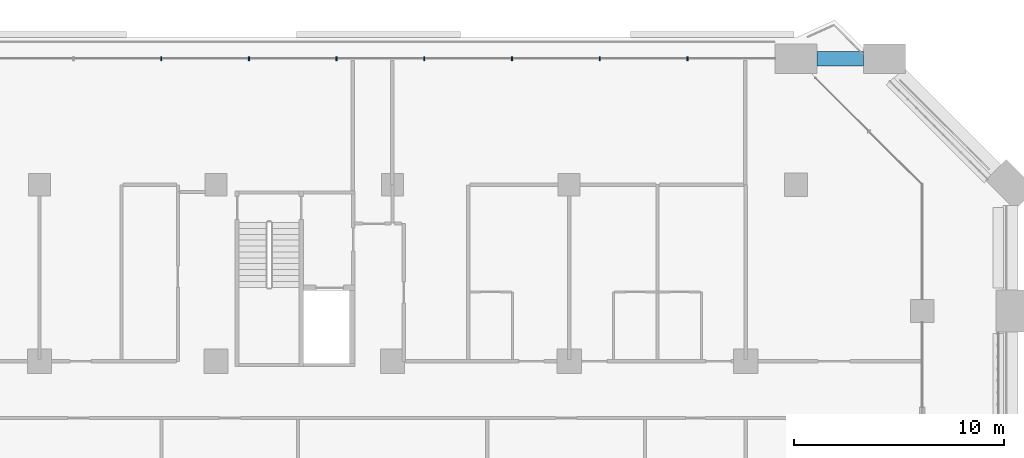
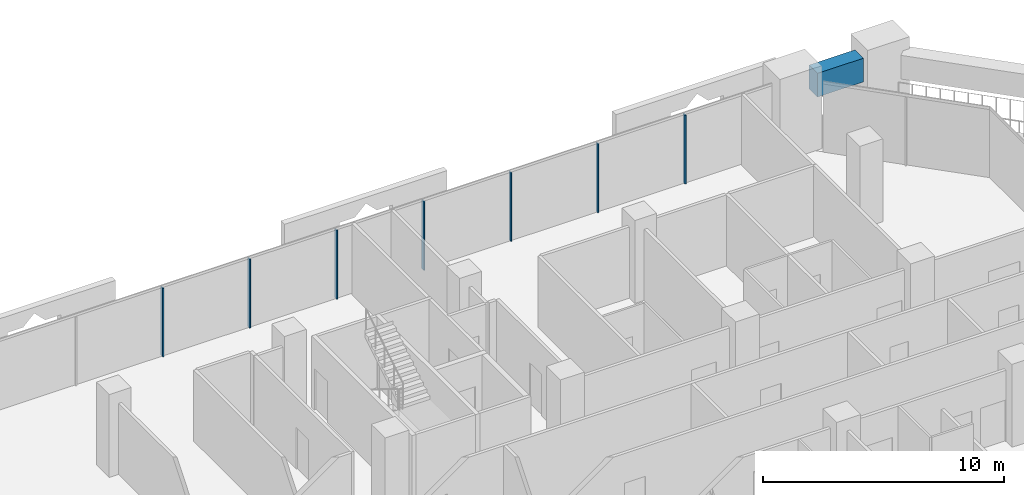
# One storey, part 10 of 25: 7 members, 1 beam, 1 element without a shape of its own.
"""IFC4 building model written with IfcOpenShell, lengths in metres."""

from ifc_helpers import new_model, si_unit, direction, frame, origin, origin_2d, place, context, subcontext, project, spatial, rectangle, extrude, material, layer, layer_set, material_profile, profile_set, type_object, element, aggregate, save


model = new_model("IFC4")

# Units and contexts
model_context = context("Model", 3, precision=1e-05, world=origin(), true_north=direction((0.0, 1.0)))
body_context = subcontext(model_context, "Body", "Model", "MODEL_VIEW")
ifc_project = project(units=[si_unit("LENGTHUNIT", "METRE"), si_unit("AREAUNIT", "SQUARE_METRE"), si_unit("VOLUMEUNIT", "CUBIC_METRE"), si_unit("PLANEANGLEUNIT", "RADIAN"), si_unit("MASSUNIT", "GRAM", prefix="KILO")], contexts=[model_context])

# Site, building, storey
site_placement = place(None, origin())
site = spatial("IfcSite", under=ifc_project, at=site_placement, CompositionType="ELEMENT")
building_placement = place(site_placement, origin())
building = spatial("IfcBuilding", under=site, at=building_placement, Name="Kawkab Arch Medical Tower", CompositionType="ELEMENT")
storey_placement = place(building_placement, frame((0.0, 0.0, 111.39990234375)))
storey = spatial("IfcBuildingStorey", under=building, at=storey_placement, Name="L25", CompositionType="ELEMENT", Elevation=111.39990234375)

# Curtain wall, members
ifc_material_1 = material(Name="Bronze anodised aluminium curtain wall frame", Category="aluminium")
ifc_layer = layer(ifc_material_1, 0.159912109375)
ifc_layer_set = layer_set([ifc_layer], Name="Bronze anodised aluminium curtain wall frame")
curtain_wall_type = type_object("IfcCurtainWallType", Name="CW1 ward curtain wall", PredefinedType="NOTDEFINED", material=ifc_layer_set)
curtain_wall_placement = place(storey_placement, origin())
curtain_wall = element("IfcCurtainWall", 1, at=curtain_wall_placement, inside=storey, type_object=curtain_wall_type, Name="CW1 Ward curtain wall R11", PredefinedType="NOTDEFINED")
ifc_material_2 = material(Name="Bronze anodised aluminium curtain wall frame", Category="aluminium")
ifc_material_profile_1 = material_profile(ifc_material_2, rectangle(XDim=0.179931640625, YDim=0.06005859375, at=origin_2d()), Name="AL 60x180")
ifc_profile_set_1 = profile_set([ifc_material_profile_1], Name="Bronze anodised aluminium curtain wall frame")
member_type = type_object("IfcMemberType", Name="CW1 mullion 60 x 180", PredefinedType="MULLION", material=ifc_profile_set_1)
member_1_placement = place(storey_placement, frame((64.4267578125, 6.0, 0.0), z_axis=(0.0, 0.0, 1.0), x_axis=(0.0, -1.0, 0.0)))
member_1 = element("IfcMember", 2, at=member_1_placement, type_object=member_type, Name="CW1 mullion 1.1", PredefinedType="MULLION", context=body_context, shape_type="SweptSolid", body=[
    extrude(rectangle(XDim=0.179931640625, YDim=0.06005859375, at=origin_2d()), origin(), (0.0, 0.0, 1.0), 3.47998046875),
])
member_2_placement = place(storey_placement, frame((60.25341796875, 6.0, 0.0), z_axis=(0.0, 0.0, 1.0), x_axis=(0.0, -1.0, 0.0)))
member_2 = element("IfcMember", 3, at=member_2_placement, type_object=member_type, Name="CW1 mullion 1.2", PredefinedType="MULLION", context=body_context, shape_type="SweptSolid", body=[
    extrude(rectangle(XDim=0.179931640625, YDim=0.06005859375, at=origin_2d()), origin(), (0.0, 0.0, 1.0), 3.47998046875),
])
member_3_placement = place(storey_placement, frame((56.080078125, 6.0, 0.0), z_axis=(0.0, 0.0, 1.0), x_axis=(0.0, -1.0, 0.0)))
member_3 = element("IfcMember", 4, at=member_3_placement, type_object=member_type, Name="CW1 mullion 1.3", PredefinedType="MULLION", context=body_context, shape_type="SweptSolid", body=[
    extrude(rectangle(XDim=0.179931640625, YDim=0.06005859375, at=origin_2d()), origin(), (0.0, 0.0, 1.0), 3.47998046875),
])
member_4_placement = place(storey_placement, frame((51.90673828125, 6.0, 0.0), z_axis=(0.0, 0.0, 1.0), x_axis=(0.0, -1.0, 0.0)))
member_4 = element("IfcMember", 5, at=member_4_placement, type_object=member_type, Name="CW1 mullion 1.4", PredefinedType="MULLION", context=body_context, shape_type="SweptSolid", body=[
    extrude(rectangle(XDim=0.179931640625, YDim=0.06005859375, at=origin_2d()), origin(), (0.0, 0.0, 1.0), 3.47998046875),
])
member_5_placement = place(storey_placement, frame((47.7333984375, 6.0, 0.0), z_axis=(0.0, 0.0, 1.0), x_axis=(0.0, -1.0, 0.0)))
member_5 = element("IfcMember", 6, at=member_5_placement, type_object=member_type, Name="CW1 mullion 1.5", PredefinedType="MULLION", context=body_context, shape_type="SweptSolid", body=[
    extrude(rectangle(XDim=0.179931640625, YDim=0.06005859375, at=origin_2d()), origin(), (0.0, 0.0, 1.0), 3.47998046875),
])
member_6_placement = place(storey_placement, frame((43.56005859375, 6.0, 0.0), z_axis=(0.0, 0.0, 1.0), x_axis=(0.0, -1.0, 0.0)))
member_6 = element("IfcMember", 7, at=member_6_placement, type_object=member_type, Name="CW1 mullion 1.6", PredefinedType="MULLION", context=body_context, shape_type="SweptSolid", body=[
    extrude(rectangle(XDim=0.179931640625, YDim=0.06005859375, at=origin_2d()), origin(), (0.0, 0.0, 1.0), 3.47998046875),
])
member_7_placement = place(storey_placement, frame((39.38671875, 6.0, 0.0), z_axis=(0.0, 0.0, 1.0), x_axis=(0.0, -1.0, 0.0)))
member_7 = element("IfcMember", 8, at=member_7_placement, type_object=member_type, Name="CW1 mullion 1.7", PredefinedType="MULLION", context=body_context, shape_type="SweptSolid", body=[
    extrude(rectangle(XDim=0.179931640625, YDim=0.06005859375, at=origin_2d()), origin(), (0.0, 0.0, 1.0), 3.47998046875),
])
aggregate(curtain_wall, [member_1, member_2, member_3, member_4, member_5, member_6, member_7])

# Beam
ifc_material_3 = material(Name="Concrete C55/67", Category="concrete")
ifc_material_profile_2 = material_profile(ifc_material_3, rectangle(XDim=0.699951171875, YDim=1.199951171875, at=origin_2d()), Name="RC 700x1200")
ifc_profile_set_2 = profile_set([ifc_material_profile_2], Name="Concrete C55/67")
beam_type = type_object("IfcBeamType", Name="RC 700x1200 beam C55/67", PredefinedType="BEAM", material=ifc_profile_set_2)
beam_placement = place(storey_placement, frame((70.60009765625, 6.0, 3.0), z_axis=(1.0, 0.0, 0.0), x_axis=(0.0, 1.0, 0.0)))
element("IfcBeam", 9, at=beam_placement, inside=storey, type_object=beam_type, Name="Terrace frame beam TF-L25-1-L26-01", PredefinedType="BEAM", context=body_context, shape_type="SweptSolid", body=[
    extrude(rectangle(XDim=0.699951171875, YDim=1.199951171875, at=origin_2d()), origin(), (0.0, 0.0, 1.0), 2.199951171875),
])

save(model, "model.ifc")
